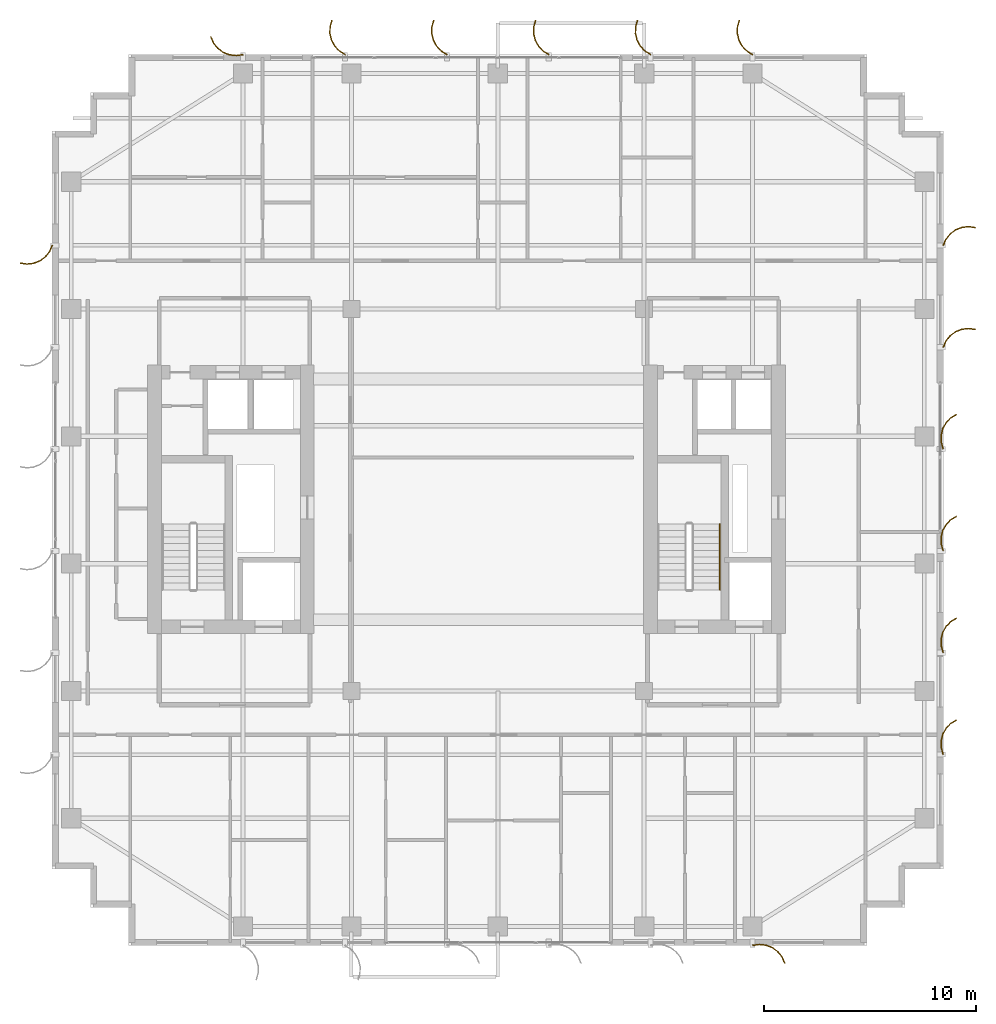
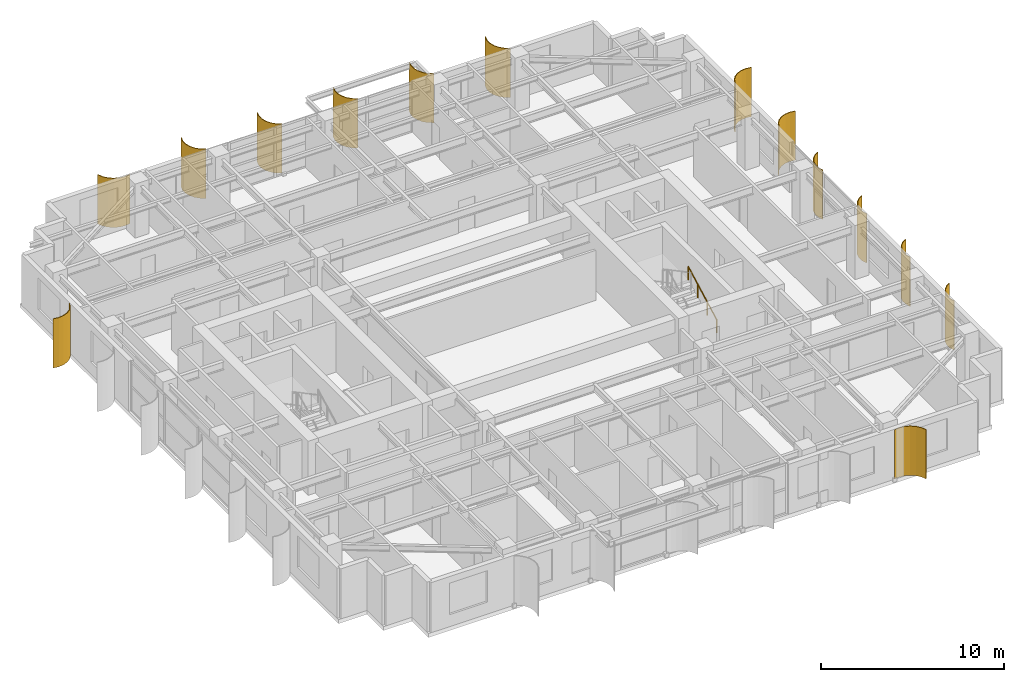
# One storey, part 23 of 23: 14 shading devices, 1 railing.
"""IFC4 building model written with IfcOpenShell, lengths in metres."""

from ifc_helpers import new_model, si_unit, direction, frame, origin, origin_2d, place, context, subcontext, project, spatial, polyline, circle, outline, extrude, source, transform, mapped, material, layer, layer_set, type_object, element, save


model = new_model("IFC4")

# Units and contexts
model_context = context("Model", 3, precision=1e-05, world=origin(), true_north=direction((0.0, 1.0)))
body_context = subcontext(model_context, "Body", "Model", "MODEL_VIEW")
ifc_project = project(units=[si_unit("LENGTHUNIT", "METRE"), si_unit("AREAUNIT", "SQUARE_METRE"), si_unit("VOLUMEUNIT", "CUBIC_METRE"), si_unit("PLANEANGLEUNIT", "RADIAN"), si_unit("MASSUNIT", "GRAM", prefix="KILO")], contexts=[model_context])

# Site, building, storey
site_placement = place(None, origin())
site = spatial("IfcSite", under=ifc_project, at=site_placement, CompositionType="ELEMENT")
building_placement = place(site_placement, origin())
building = spatial("IfcBuilding", under=site, at=building_placement, Name="Khoralis Quay Care Tower", CompositionType="ELEMENT")
storey_placement = place(building_placement, frame((0.0, 0.0, 173.699951171875)))
storey = spatial("IfcBuildingStorey", under=building, at=storey_placement, Name="L45", CompositionType="ELEMENT", Elevation=173.699951171875)

# Railing
ifc_material_1 = material(Name="Brushed stainless steel", Category="steel")
railing_type = type_object("IfcRailingType", Name="RL-HAND-900", PredefinedType="HANDRAIL", material=ifc_material_1)
railing_placement = place(storey_placement, frame((34.469970703125, 16.77001953125, 0.16357421875)))
element("IfcRailing", 1, at=railing_placement, inside=storey, type_object=railing_type, Name="L45 ST-T2 stair handrail 1", PredefinedType="HANDRAIL", context=body_context, shape_type="SweptSolid", body=[
    extrude(circle(Radius=0.02392578125, at=origin_2d()), frame((0.0, 0.0, 0.8759765625), z_axis=(0.0, 0.884348015382, 0.466828220752), x_axis=(-1.0, 0.0, 0.0)), (0.0, 0.0, 1.0), 3.505615234375),
    extrude(circle(Radius=0.02099609375, at=origin_2d()), origin(), (0.0, 0.0, 1.0), 0.851806640625),
    extrude(circle(Radius=0.02099609375, at=origin_2d()), frame((0.0, 1.033447265625, 0.54541015625)), (0.0, 0.0, 1.0), 0.851806640625),
    extrude(circle(Radius=0.02099609375, at=origin_2d()), frame((0.0, 2.066650390625, 1.091064453125)), (0.0, 0.0, 1.0), 0.851806640625),
    extrude(circle(Radius=0.02099609375, at=origin_2d()), frame((0.0, 3.10009765625, 1.636474609375)), (0.0, 0.0, 1.0), 0.851806640625),
])

# Shading devices
ifc_material_2 = material(Name="Brushed pale anodised aluminium", Category="aluminium")
ifc_layer = layer(ifc_material_2, 0.044921875)
ifc_layer_set = layer_set([ifc_layer], Name="Brushed pale anodised aluminium")
shading_device_type = type_object("IfcShadingDeviceType", Name="SHD-FIN-1250", PredefinedType="USERDEFINED", material=ifc_layer_set)
shared_shape_1 = source(origin(), body_context, "Body", "SweptSolid", [
    extrude(outline(polyline([(0.0, 0.0), (0.17041015625, 0.2783203125), (0.4072265625, 0.5029296875), (0.694091796875, 0.658447265625), (1.01123046875, 0.734619140625), (1.33740234375, 0.72607421875), (1.650390625, 0.633544921875), (1.632080078125, 0.59228515625), (1.330322265625, 0.681640625), (1.015869140625, 0.68994140625), (0.710205078125, 0.616455078125), (0.43359375, 0.466552734375), (0.20556640625, 0.25), (0.041015625, -0.018310546875), (0.0, 0.0)])), origin(), (0.0, 0.0, 1.0), 3.280029296875),
])
for number, where, z_axis, x_axis, name in (
    (2, (36.0, 41.969970703125, 0.02001953125), (0.0, 0.0, 1.0), (0.0, 1.0, 0.0), "L45 Curved Solar Fin P1E10-01"),
    (3, (31.199951171875, 41.969970703125, 0.02001953125), (0.0, 0.0, 1.0), (0.0, 1.0, 0.0), "L45 Curved Solar Fin P1E10-02"),
    (4, (26.39990234375, 41.969970703125, 0.02001953125), (0.0, 0.0, 1.0), (0.0, 1.0, 0.0), "L45 Curved Solar Fin P1E10-03"),
    (5, (21.60009765625, 41.969970703125, 0.02001953125), (0.0, 0.0, 1.0), (0.0, 1.0, 0.0), "L45 Curved Solar Fin P1E10-04"),
    (6, (16.800048828125, 41.969970703125, 0.02001953125), (0.0, 0.0, 1.0), (0.0, 1.0, 0.0), "L45 Curved Solar Fin P1E10-05"),
):
    element("IfcShadingDevice", number, at=place(storey_placement, frame(where, z_axis=z_axis, x_axis=x_axis)), inside=storey, type_object=shading_device_type, Name=name, ObjectType="FIN", PredefinedType="USERDEFINED", context=body_context, shape_type="MappedRepresentation", body=[
        mapped(shared_shape_1, transform((0.0, 0.0, 0.0), scale=1.0)),
    ])
shared_shape_2 = source(origin(), body_context, "Body", "SweptSolid", [
    extrude(outline(polyline([(0.0, 0.0), (-0.04833984375, 0.32275390625), (-0.01123046875, 0.64697265625), (0.1083984375, 0.950439453125), (0.302490234375, 1.212890625), (0.557861328125, 1.416015625), (0.85693359375, 1.546142578125), (0.869384765625, 1.5029296875), (0.5810546875, 1.37744140625), (0.334716796875, 1.181640625), (0.147705078125, 0.9287109375), (0.032470703125, 0.635986328125), (-0.003173828125, 0.323486328125), (0.043212890625, 0.012451171875), (0.0, 0.0)])), origin(), (0.0, 0.0, 1.0), 3.280029296875),
])
for number, where, z_axis, x_axis, name in (
    (7, (36.0, 0.030029296875, 0.02001953125), (0.0, 0.0, 1.0), (0.0, -1.0, 0.0), "L45 Curved Solar Fin P1E0-06"),
    (8, (12.0, 41.969970703125, 0.02001953125), (0.0, 0.0, 1.0), (0.0, 1.0, 0.0), "L45 Curved Solar Fin P1E10-06"),
):
    element("IfcShadingDevice", number, at=place(storey_placement, frame(where, z_axis=z_axis, x_axis=x_axis)), inside=storey, type_object=shading_device_type, Name=name, ObjectType="FIN", PredefinedType="USERDEFINED", context=body_context, shape_type="MappedRepresentation", body=[
        mapped(shared_shape_2, transform((0.0, 0.0, 0.0), scale=1.0)),
    ])
shared_shape_3 = source(origin(), body_context, "Body", "SweptSolid", [
    extrude(outline(polyline([(0.0, 0.0), (-0.0927734375, 0.31298828125), (-0.101318359375, 0.63916015625), (-0.025146484375, 0.956298828125), (0.130615234375, 1.2431640625), (0.355224609375, 1.479736328125), (0.633544921875, 1.650390625), (0.65185546875, 1.609130859375), (0.383544921875, 1.44482421875), (0.1669921875, 1.216796875), (0.01708984375, 0.940185546875), (-0.056396484375, 0.63427734375), (-0.04833984375, 0.31982421875), (0.041015625, 0.018310546875), (0.0, 0.0)])), origin(), (0.0, 0.0, 1.0), 3.280029296875),
])
for number, where, z_axis, x_axis, name in (
    (9, (44.969970703125, 9.0, 0.02001953125), (0.0, 0.0, 1.0), (1.0, 0.0, 0.0), "L45 Curved Solar Fin P1E5-01"),
    (10, (44.969970703125, 13.800048828125, 0.02001953125), (0.0, 0.0, 1.0), (1.0, 0.0, 0.0), "L45 Curved Solar Fin P1E5-02"),
    (11, (44.969970703125, 18.60009765625, 0.02001953125), (0.0, 0.0, 1.0), (1.0, 0.0, 0.0), "L45 Curved Solar Fin P1E5-03"),
    (12, (44.969970703125, 23.39990234375, 0.02001953125), (0.0, 0.0, 1.0), (1.0, 0.0, 0.0), "L45 Curved Solar Fin P1E5-04"),
):
    element("IfcShadingDevice", number, at=place(storey_placement, frame(where, z_axis=z_axis, x_axis=x_axis)), inside=storey, type_object=shading_device_type, Name=name, ObjectType="FIN", PredefinedType="USERDEFINED", context=body_context, shape_type="MappedRepresentation", body=[
        mapped(shared_shape_3, transform((0.0, 0.0, 0.0), scale=1.0)),
    ])
shared_shape_4 = source(origin(), body_context, "Body", "SweptSolid", [
    extrude(outline(polyline([(0.0, 0.0), (0.130126953125, 0.29931640625), (0.333251953125, 0.5546875), (0.595458984375, 0.748779296875), (0.899169921875, 0.868408203125), (1.223388671875, 0.9052734375), (1.546142578125, 0.85693359375), (1.53369140625, 0.813720703125), (1.22265625, 0.8603515625), (0.91015625, 0.82470703125), (0.617431640625, 0.70947265625), (0.364501953125, 0.522216796875), (0.168701171875, 0.276123046875), (0.043212890625, -0.012451171875), (0.0, 0.0)])), origin(), (0.0, 0.0, 1.0), 3.280029296875),
])
for number, where, z_axis, x_axis, name in (
    (13, (44.969970703125, 28.199951171875, 0.02001953125), (0.0, 0.0, 1.0), (1.0, 0.0, 0.0), "L45 Curved Solar Fin P1E5-05"),
    (14, (44.969970703125, 33.0, 0.02001953125), (0.0, 0.0, 1.0), (1.0, 0.0, 0.0), "L45 Curved Solar Fin P1E5-06"),
    (15, (3.030029296875, 33.0, 0.02001953125), (0.0, 0.0, 1.0), (-1.0, 0.0, 0.0), "L45 Curved Solar Fin P1E15-01"),
):
    element("IfcShadingDevice", number, at=place(storey_placement, frame(where, z_axis=z_axis, x_axis=x_axis)), inside=storey, type_object=shading_device_type, Name=name, ObjectType="FIN", PredefinedType="USERDEFINED", context=body_context, shape_type="MappedRepresentation", body=[
        mapped(shared_shape_4, transform((0.0, 0.0, 0.0), scale=1.0)),
    ])

save(model, "model.ifc")
